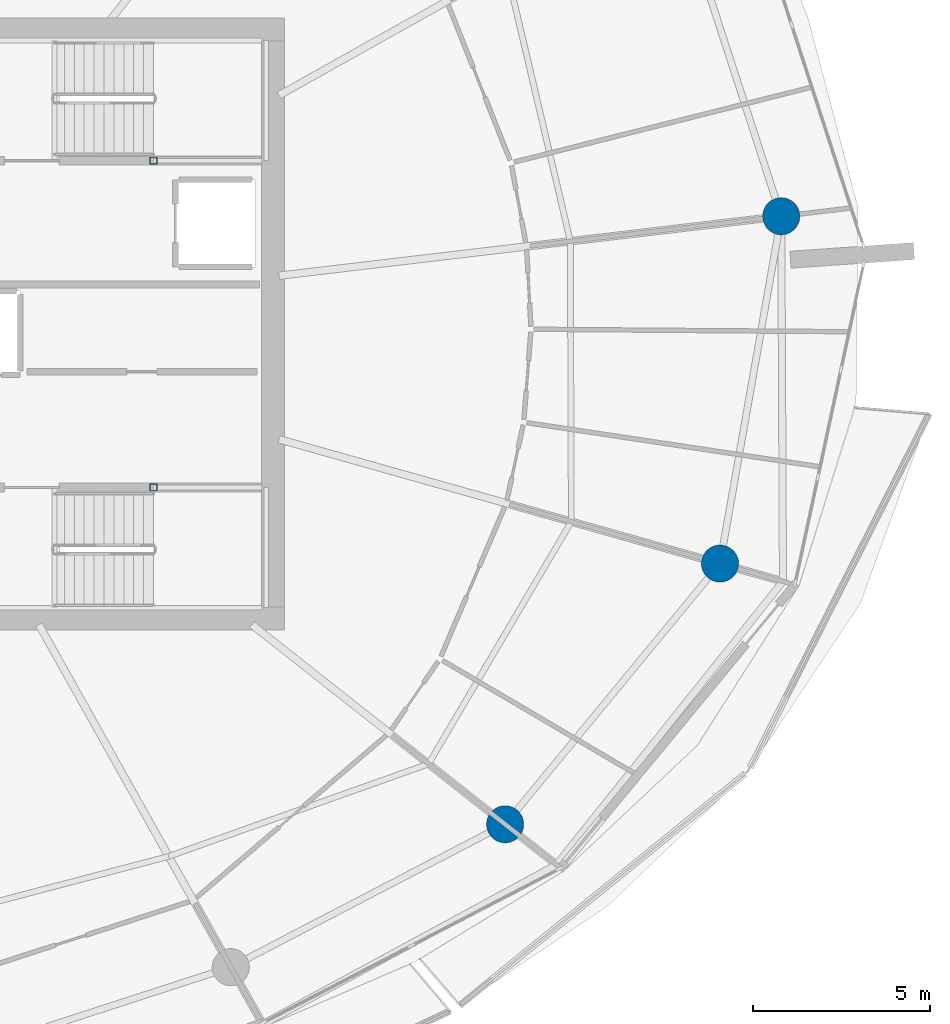
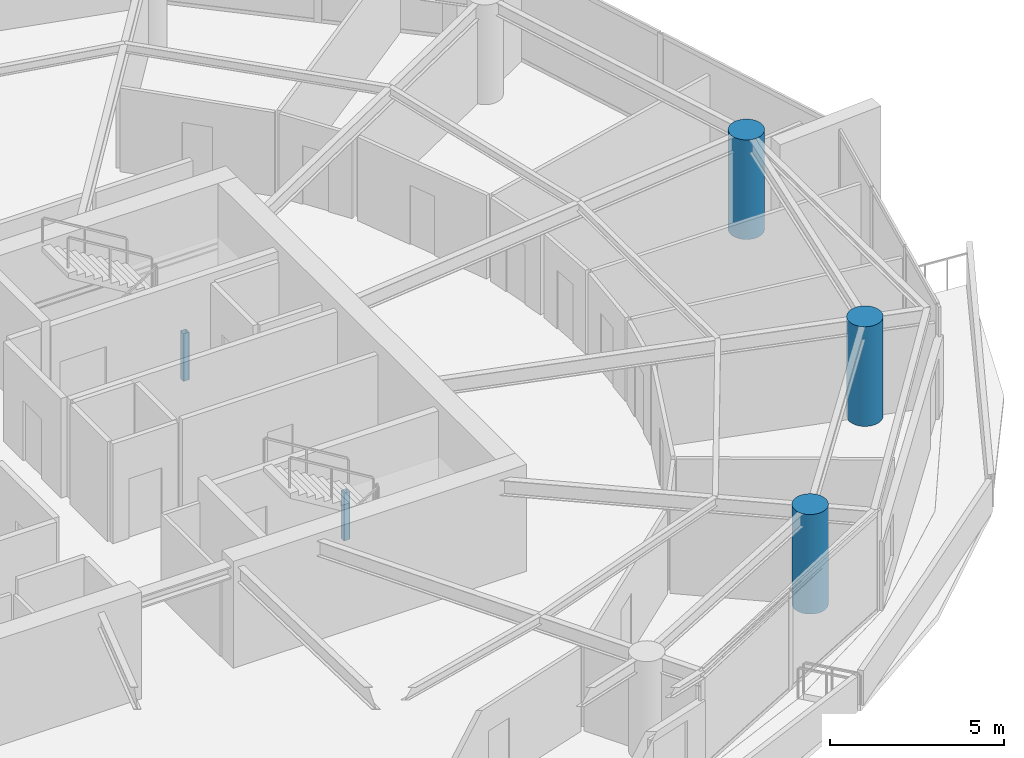
# One storey, part 3 of 20: 5 columns.
"""IFC4 building model written with IfcOpenShell, lengths in metres."""

from ifc_helpers import new_model, si_unit, direction, frame, origin, origin_2d, place, context, subcontext, project, spatial, hollow_rectangle, circle, extrude, material, material_profile, profile_set, type_object, element, save


model = new_model("IFC4")

# Units and contexts
model_context = context("Model", 3, precision=1e-05, world=origin(), true_north=direction((0.0, 1.0)))
body_context = subcontext(model_context, "Body", "Model", "MODEL_VIEW")
ifc_project = project(units=[si_unit("LENGTHUNIT", "METRE"), si_unit("AREAUNIT", "SQUARE_METRE"), si_unit("VOLUMEUNIT", "CUBIC_METRE"), si_unit("PLANEANGLEUNIT", "RADIAN"), si_unit("MASSUNIT", "GRAM", prefix="KILO")], contexts=[model_context])

# Site, building, storey
site_placement = place(None, origin())
site = spatial("IfcSite", under=ifc_project, at=site_placement, CompositionType="ELEMENT")
building_placement = place(site_placement, origin())
building = spatial("IfcBuilding", under=site, at=building_placement, Name="Kazma Halo Residences", CompositionType="ELEMENT")
storey_placement = place(building_placement, frame((0.0, 0.0, 202.800048828125)))
storey = spatial("IfcBuildingStorey", under=building, at=storey_placement, Name="L51", CompositionType="ELEMENT", Elevation=202.800048828125)

# Columns
ifc_material_1 = material(Name="Steel S355", Category="steel")
ifc_material_profile_1 = material_profile(ifc_material_1, hollow_rectangle(XDim=0.199951171875, YDim=0.199951171875, WallThickness=0.010009765625, InnerFilletRadius=0.010009765625, OuterFilletRadius=0.02001953125, at=origin_2d()), Name="SHS200x200x10")
ifc_profile_set_1 = profile_set([ifc_material_profile_1], Name="Steel S355")
column_type_1 = type_object("IfcColumnType", Name="COL-LP-SHS200", PredefinedType="COLUMN", material=ifc_profile_set_1)
for number, where, z_axis, x_axis, name in (
    (1, (56.0, 46.6201171875, 0.0), (0.0, 0.0, 1.0), (1.0, 0.0, 0.0), "L51 ST-02 landing pilaster 1"),
    (2, (56.0, 37.3798828125, 0.0), (0.0, 0.0, 1.0), (1.0, 0.0, 0.0), "L51 ST-03 landing pilaster 1"),
):
    element("IfcColumn", number, at=place(storey_placement, frame(where, z_axis=z_axis, x_axis=x_axis)), inside=storey, type_object=column_type_1, Name=name, PredefinedType="COLUMN", context=body_context, shape_type="SweptSolid", body=[
        extrude(hollow_rectangle(XDim=0.199951171875, YDim=0.199951171875, WallThickness=0.010009765625, InnerFilletRadius=0.010009765625, OuterFilletRadius=0.02001953125, at=origin_2d()), origin(), (0.0, 0.0, 1.0), 1.669921875),
    ])
ifc_material_2 = material(Name="Concrete C80/95", Category="concrete")
ifc_material_profile_2 = material_profile(ifc_material_2, circle(Radius=0.52490234375, at=origin_2d()), Name="CIRC1050")
ifc_profile_set_2 = profile_set([ifc_material_profile_2], Name="Concrete C80/95")
column_type_2 = type_object("IfcColumnType", Name="COL-PERIM-1050", PredefinedType="COLUMN", material=ifc_profile_set_2)
for number, where, z_axis, x_axis, name in (
    (3, (65.944091796875, 27.85400390625, 0.0), (0.0, 0.0, 1.0), (1.0, 0.0, 0.0), "L51 perimeter ring column P14"),
    (4, (72.019775390625, 35.2255859375, 0.0), (0.0, 0.0, 1.0), (1.0, 0.0, 0.0), "L51 perimeter ring column P15"),
    (5, (73.751708984375, 45.0478515625, 0.0), (0.0, 0.0, 1.0), (1.0, 0.0, 0.0), "L51 perimeter ring column P16"),
):
    element("IfcColumn", number, at=place(storey_placement, frame(where, z_axis=z_axis, x_axis=x_axis)), inside=storey, type_object=column_type_2, Name=name, PredefinedType="COLUMN", context=body_context, shape_type="SweptSolid", body=[
        extrude(circle(Radius=0.52490234375, at=origin_2d()), origin(), (0.0, 0.0, 1.0), 3.5),
    ])

save(model, "model.ifc")
